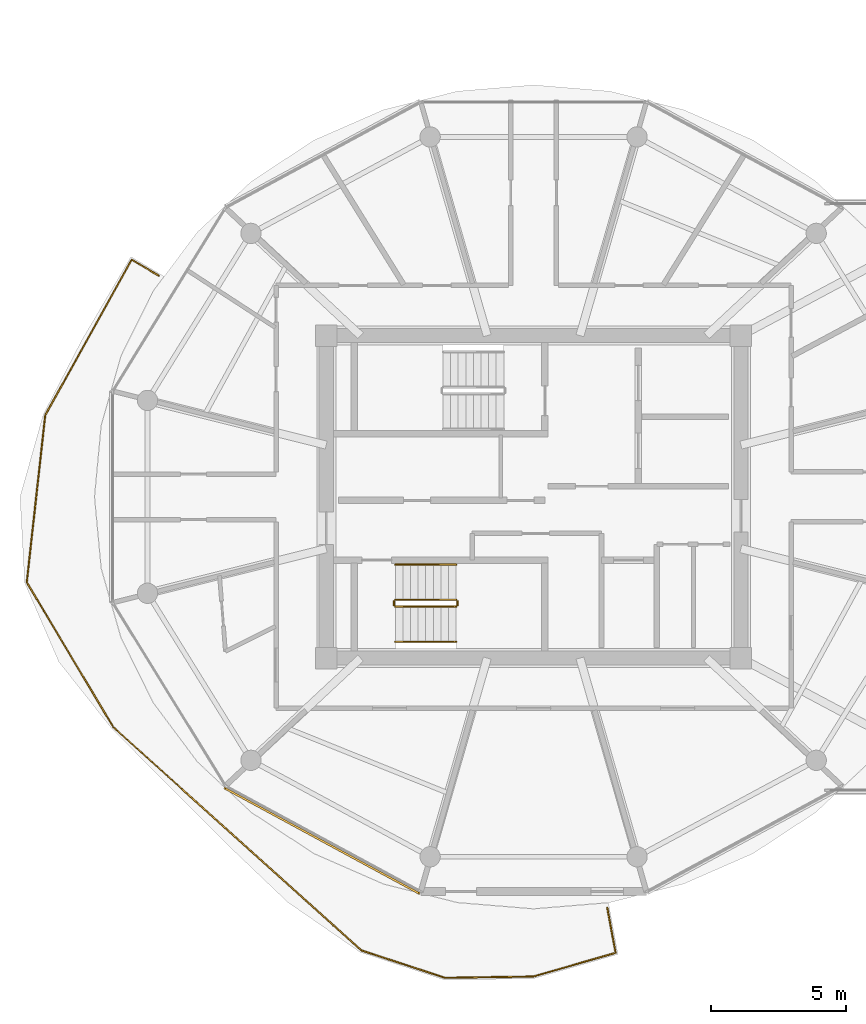
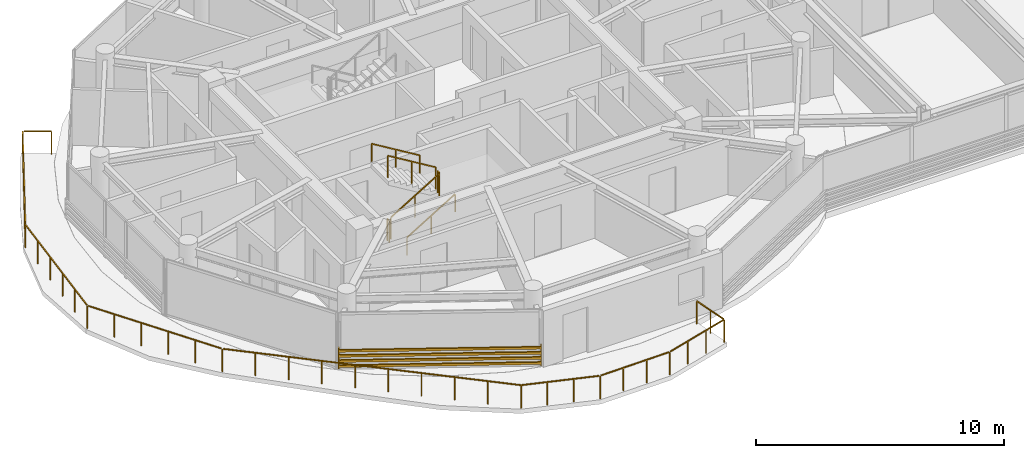
# One storey, part 21 of 24: 8 railings, 1 shading device.
"""IFC4 building model written with IfcOpenShell, lengths in metres."""

from ifc_helpers import new_model, si_unit, direction, frame, origin, origin_2d, place, context, subcontext, project, spatial, rectangle, extrude, source, transform, mapped, material, type_object, type_shapes, element, save


model = new_model("IFC4")

# Units and contexts
model_context = context("Model", 3, precision=1e-05, world=origin(), true_north=direction((0.0, 1.0)))
body_context = subcontext(model_context, "Body", "Model", "MODEL_VIEW")
ifc_project = project(units=[si_unit("LENGTHUNIT", "METRE"), si_unit("AREAUNIT", "SQUARE_METRE"), si_unit("VOLUMEUNIT", "CUBIC_METRE"), si_unit("PLANEANGLEUNIT", "RADIAN"), si_unit("MASSUNIT", "GRAM", prefix="KILO")], contexts=[model_context])

# Site, building, storey
site_placement = place(None, origin())
site = spatial("IfcSite", under=ifc_project, at=site_placement, CompositionType="ELEMENT")
building_placement = place(site_placement, origin())
building = spatial("IfcBuilding", under=site, at=building_placement, Name="Norrkilde Senior Care Towers", CompositionType="ELEMENT")
storey_placement = place(building_placement, frame((0.0, 0.0, 223.050048828125)))
storey = spatial("IfcBuildingStorey", under=building, at=storey_placement, Name="L69", CompositionType="ELEMENT", Elevation=223.050048828125)

# Railings
ifc_material_1 = material(Name="Anodised Aluminium", Category="aluminium")
railing_type_1 = type_object("IfcRailingType", Name="Balcony Swirl Ribbon Guardrail 1150", PredefinedType="GUARDRAIL", material=ifc_material_1)
railing_1_placement = place(storey_placement, frame((-34.365478515625, -16.7314453125, 0.0)))
element("IfcRailing", 1, at=railing_1_placement, inside=storey, type_object=railing_type_1, Name="L69 Perimeter Safety Guard 03", PredefinedType="GUARDRAIL", context=body_context, shape_type="SweptSolid", body=[
    extrude(rectangle(XDim=0.048095703125, YDim=0.048095703125, at=origin_2d()), frame((0.0, 0.0, 1.1259765625), z_axis=(-0.743077110644, 0.669205803649, 0.0), x_axis=(-0.669205803649, -0.743077110644, 0.0)), (0.0, 0.0, 1.0), 12.266845703125),
    extrude(rectangle(XDim=0.048095703125, YDim=0.048095703125, at=origin_2d()), frame((-9.16650390625, 8.271484375, 1.1259765625), z_axis=(-0.512781280455, 0.858519282494, 0.0), x_axis=(-0.858519282494, -0.512781280455, 0.0)), (0.0, 0.0, 1.0), 6.1416015625),
    extrude(rectangle(XDim=0.048095703125, YDim=0.048095703125, at=origin_2d()), frame((-12.332275390625, 13.61962890625, 1.1259765625), z_axis=(0.109861229125, 0.993946935372, 0.0), x_axis=(-0.993946935372, 0.109861229125, 0.0)), (0.0, 0.0, 1.0), 6.12060546875),
    extrude(rectangle(XDim=0.048095703125, YDim=0.048095703125, at=origin_2d()), frame((-11.635498046875, 19.779541015625, 1.1259765625), z_axis=(0.485671324022, 0.874141501716, 0.0), x_axis=(-0.874141501716, 0.485671324022, 0.0)), (0.0, 0.0, 1.0), 6.48876953125),
    extrude(rectangle(XDim=0.048095703125, YDim=0.048095703125, at=origin_2d()), frame((-8.428955078125, 25.466552734375, 1.1259765625), z_axis=(0.858699122385, -0.512480065188, 0.0), x_axis=(0.512480065188, 0.858699122385, 0.0)), (0.0, 0.0, 1.0), 1.11767578125),
    extrude(rectangle(XDim=0.0419921875, YDim=0.0419921875, at=origin_2d()), origin(), (0.0, 0.0, 1.0), 1.099853515625),
    extrude(rectangle(XDim=0.0419921875, YDim=0.0419921875, at=origin_2d()), frame((-1.01611328125, 0.9150390625, 0.0)), (0.0, 0.0, 1.0), 1.099853515625),
    extrude(rectangle(XDim=0.0419921875, YDim=0.0419921875, at=origin_2d()), frame((-2.0322265625, 1.830322265625, 0.0)), (0.0, 0.0, 1.0), 1.099853515625),
    extrude(rectangle(XDim=0.0419921875, YDim=0.0419921875, at=origin_2d()), frame((-3.048583984375, 2.745361328125, 0.0)), (0.0, 0.0, 1.0), 1.099853515625),
    extrude(rectangle(XDim=0.0419921875, YDim=0.0419921875, at=origin_2d()), frame((-4.064697265625, 3.66064453125, 0.0)), (0.0, 0.0, 1.0), 1.099853515625),
    extrude(rectangle(XDim=0.0419921875, YDim=0.0419921875, at=origin_2d()), frame((-5.080810546875, 4.57568359375, 0.0)), (0.0, 0.0, 1.0), 1.099853515625),
    extrude(rectangle(XDim=0.0419921875, YDim=0.0419921875, at=origin_2d()), frame((-6.096923828125, 5.490966796875, 0.0)), (0.0, 0.0, 1.0), 1.099853515625),
    extrude(rectangle(XDim=0.0419921875, YDim=0.0419921875, at=origin_2d()), frame((-7.11328125, 6.406005859375, 0.0)), (0.0, 0.0, 1.0), 1.099853515625),
    extrude(rectangle(XDim=0.0419921875, YDim=0.0419921875, at=origin_2d()), frame((-8.12939453125, 7.3212890625, 0.0)), (0.0, 0.0, 1.0), 1.099853515625),
    extrude(rectangle(XDim=0.0419921875, YDim=0.0419921875, at=origin_2d()), frame((-9.1455078125, 8.236328125, 0.0)), (0.0, 0.0, 1.0), 1.099853515625),
    extrude(rectangle(XDim=0.0419921875, YDim=0.0419921875, at=origin_2d()), frame((-9.78369140625, 9.304931640625, 0.0)), (0.0, 0.0, 1.0), 1.099853515625),
    extrude(rectangle(XDim=0.0419921875, YDim=0.0419921875, at=origin_2d()), frame((-10.421875, 10.37353515625, 0.0)), (0.0, 0.0, 1.0), 1.099853515625),
    extrude(rectangle(XDim=0.0419921875, YDim=0.0419921875, at=origin_2d()), frame((-11.060302734375, 11.44189453125, 0.0)), (0.0, 0.0, 1.0), 1.099853515625),
    extrude(rectangle(XDim=0.0419921875, YDim=0.0419921875, at=origin_2d()), frame((-11.698486328125, 12.510498046875, 0.0)), (0.0, 0.0, 1.0), 1.099853515625),
    extrude(rectangle(XDim=0.0419921875, YDim=0.0419921875, at=origin_2d()), frame((-12.336669921875, 13.5791015625, 0.0)), (0.0, 0.0, 1.0), 1.099853515625),
    extrude(rectangle(XDim=0.0419921875, YDim=0.0419921875, at=origin_2d()), frame((-12.200439453125, 14.81201171875, 0.0)), (0.0, 0.0, 1.0), 1.099853515625),
    extrude(rectangle(XDim=0.0419921875, YDim=0.0419921875, at=origin_2d()), frame((-12.064208984375, 16.044921875, 0.0)), (0.0, 0.0, 1.0), 1.099853515625),
    extrude(rectangle(XDim=0.0419921875, YDim=0.0419921875, at=origin_2d()), frame((-11.927734375, 17.278076171875, 0.0)), (0.0, 0.0, 1.0), 1.099853515625),
    extrude(rectangle(XDim=0.0419921875, YDim=0.0419921875, at=origin_2d()), frame((-11.79150390625, 18.510986328125, 0.0)), (0.0, 0.0, 1.0), 1.099853515625),
    extrude(rectangle(XDim=0.0419921875, YDim=0.0419921875, at=origin_2d()), frame((-11.6552734375, 19.743896484375, 0.0)), (0.0, 0.0, 1.0), 1.099853515625),
    extrude(rectangle(XDim=0.0419921875, YDim=0.0419921875, at=origin_2d()), frame((-11.01708984375, 20.892578125, 0.0)), (0.0, 0.0, 1.0), 1.099853515625),
    extrude(rectangle(XDim=0.0419921875, YDim=0.0419921875, at=origin_2d()), frame((-10.37890625, 22.041259765625, 0.0)), (0.0, 0.0, 1.0), 1.099853515625),
    extrude(rectangle(XDim=0.0419921875, YDim=0.0419921875, at=origin_2d()), frame((-9.740478515625, 23.190185546875, 0.0)), (0.0, 0.0, 1.0), 1.099853515625),
    extrude(rectangle(XDim=0.0419921875, YDim=0.0419921875, at=origin_2d()), frame((-9.102294921875, 24.3388671875, 0.0)), (0.0, 0.0, 1.0), 1.099853515625),
    extrude(rectangle(XDim=0.0419921875, YDim=0.0419921875, at=origin_2d()), frame((-8.464111328125, 25.487548828125, 0.0)), (0.0, 0.0, 1.0), 1.099853515625),
    extrude(rectangle(XDim=0.0419921875, YDim=0.0419921875, at=origin_2d()), frame((-7.46923828125, 24.893798828125, 0.0)), (0.0, 0.0, 1.0), 1.099853515625),
])
railing_2_placement = place(storey_placement, frame((-25.28271484375, -15.157470703125, 0.0)))
element("IfcRailing", 2, at=railing_2_placement, inside=storey, type_object=railing_type_1, Name="L69 Perimeter Safety Guard 04", PredefinedType="GUARDRAIL", context=body_context, shape_type="SweptSolid", body=[
    extrude(rectangle(XDim=0.048095703125, YDim=0.048095703125, at=origin_2d()), frame((0.0, 0.0, 1.1259765625), z_axis=(0.1816052382, -0.98337151548, 0.0), x_axis=(0.98337151548, 0.1816052382, 0.0)), (0.0, 0.0, 1.0), 1.656982421875),
    extrude(rectangle(XDim=0.048095703125, YDim=0.048095703125, at=origin_2d()), frame((0.26904296875, -1.680908203125, 1.1259765625), z_axis=(-0.961050328274, -0.276373418628, 0.0), x_axis=(0.276373418628, -0.961050328274, 0.0)), (0.0, 0.0, 1.0), 3.078857421875),
    extrude(rectangle(XDim=0.048095703125, YDim=0.048095703125, at=origin_2d()), frame((-2.77001953125, -2.543701171875, 1.1259765625), z_axis=(-0.999894603334, -0.014518340921, 0.0), x_axis=(0.014518340921, -0.999894603334, 0.0)), (0.0, 0.0, 1.0), 3.1806640625),
    extrude(rectangle(XDim=0.048095703125, YDim=0.048095703125, at=origin_2d()), frame((-6.030029296875, -2.577880859375, 1.1259765625), z_axis=(-0.94995830724, 0.312376718893, 0.0), x_axis=(-0.312376718893, -0.94995830724, 0.0)), (0.0, 0.0, 1.0), 3.213623046875),
    extrude(rectangle(XDim=0.0419921875, YDim=0.0419921875, at=origin_2d()), origin(), (0.0, 0.0, 1.0), 1.099853515625),
    extrude(rectangle(XDim=0.0419921875, YDim=0.0419921875, at=origin_2d()), frame((0.154296875, -0.8349609375, 0.0)), (0.0, 0.0, 1.0), 1.099853515625),
    extrude(rectangle(XDim=0.0419921875, YDim=0.0419921875, at=origin_2d()), frame((0.308349609375, -1.669677734375, 0.0)), (0.0, 0.0, 1.0), 1.099853515625),
    extrude(rectangle(XDim=0.0419921875, YDim=0.0419921875, at=origin_2d()), frame((-0.7041015625, -1.9609375, 0.0)), (0.0, 0.0, 1.0), 1.099853515625),
    extrude(rectangle(XDim=0.0419921875, YDim=0.0419921875, at=origin_2d()), frame((-1.716796875, -2.251953125, 0.0)), (0.0, 0.0, 1.0), 1.099853515625),
    extrude(rectangle(XDim=0.0419921875, YDim=0.0419921875, at=origin_2d()), frame((-2.729248046875, -2.543212890625, 0.0)), (0.0, 0.0, 1.0), 1.099853515625),
    extrude(rectangle(XDim=0.0419921875, YDim=0.0419921875, at=origin_2d()), frame((-3.816650390625, -2.55908203125, 0.0)), (0.0, 0.0, 1.0), 1.099853515625),
    extrude(rectangle(XDim=0.0419921875, YDim=0.0419921875, at=origin_2d()), frame((-4.90380859375, -2.57470703125, 0.0)), (0.0, 0.0, 1.0), 1.099853515625),
    extrude(rectangle(XDim=0.0419921875, YDim=0.0419921875, at=origin_2d()), frame((-5.9912109375, -2.590576171875, 0.0)), (0.0, 0.0, 1.0), 1.099853515625),
    extrude(rectangle(XDim=0.0419921875, YDim=0.0419921875, at=origin_2d()), frame((-7.021728515625, -2.251708984375, 0.0)), (0.0, 0.0, 1.0), 1.099853515625),
    extrude(rectangle(XDim=0.0419921875, YDim=0.0419921875, at=origin_2d()), frame((-8.05224609375, -1.912841796875, 0.0)), (0.0, 0.0, 1.0), 1.099853515625),
    extrude(rectangle(XDim=0.0419921875, YDim=0.0419921875, at=origin_2d()), frame((-9.082763671875, -1.573974609375, 0.0)), (0.0, 0.0, 1.0), 1.099853515625),
])
ifc_material_2 = material(Name="Stainless Steel", Category="steel")
railing_type_2 = type_object("IfcRailingType", Name="Stair and Terrace Guardrail 1100", PredefinedType="GUARDRAIL", material=ifc_material_2)
railing_3_placement = place(storey_placement, frame((-33.10009765625, -4.050048828125, 0.16943359375)))
element("IfcRailing", 3, at=railing_3_placement, inside=storey, type_object=railing_type_2, Name="L69 ST-W2 stair guard 1", PredefinedType="GUARDRAIL", context=body_context, shape_type="SweptSolid", body=[
    extrude(rectangle(XDim=0.048095703125, YDim=0.048095703125, at=origin_2d()), frame((0.0, 0.0, 1.076171875), z_axis=(0.855553338991, 0.0, 0.51771467445), x_axis=(0.0, 1.0, 0.0)), (0.0, 0.0, 1.0), 2.6181640625),
    extrude(rectangle(XDim=0.0419921875, YDim=0.0419921875, at=origin_2d()), origin(), (0.0, 0.0, 1.0), 1.050048828125),
    extrude(rectangle(XDim=0.0419921875, YDim=0.0419921875, at=origin_2d()), frame((1.1201171875, 0.0, 0.677734375)), (0.0, 0.0, 1.0), 1.050048828125),
    extrude(rectangle(XDim=0.0419921875, YDim=0.0419921875, at=origin_2d()), frame((2.239990234375, 0.0, 1.35546875)), (0.0, 0.0, 1.0), 1.050048828125),
])
railing_4_placement = place(storey_placement, frame((-30.81005859375, -4.0, 1.52490234375)))
element("IfcRailing", 4, at=railing_4_placement, inside=storey, type_object=railing_type_2, Name="L69 ST-W2 stair guard 2", PredefinedType="GUARDRAIL", context=body_context, shape_type="SweptSolid", body=[
    extrude(rectangle(XDim=0.048095703125, YDim=0.048095703125, at=origin_2d()), frame((0.0, 0.0, 1.076171875), z_axis=(0.0, 1.0, 0.0), x_axis=(-1.0, 0.0, 0.0)), (0.0, 0.0, 1.0), 0.14990234375),
    extrude(rectangle(XDim=0.0419921875, YDim=0.0419921875, at=origin_2d()), origin(), (0.0, 0.0, 1.0), 1.050048828125),
    extrude(rectangle(XDim=0.0419921875, YDim=0.0419921875, at=origin_2d()), frame((0.0, 0.14990234375, 0.0)), (0.0, 0.0, 1.0), 1.050048828125),
])
railing_5_placement = place(storey_placement, frame((-30.860107421875, -3.800048828125, 1.6943359375)))
element("IfcRailing", 5, at=railing_5_placement, inside=storey, type_object=railing_type_2, Name="L69 ST-W2 stair guard 3", PredefinedType="GUARDRAIL", context=body_context, shape_type="SweptSolid", body=[
    extrude(rectangle(XDim=0.048095703125, YDim=0.048095703125, at=origin_2d()), frame((0.0, 0.0, 1.076171875), z_axis=(-0.855512035549, 0.0, 0.517782924622), x_axis=(0.0, -1.0, 0.0)), (0.0, 0.0, 1.0), 2.618408203125),
    extrude(rectangle(XDim=0.0419921875, YDim=0.0419921875, at=origin_2d()), origin(), (0.0, 0.0, 1.0), 1.050048828125),
    extrude(rectangle(XDim=0.0419921875, YDim=0.0419921875, at=origin_2d()), frame((-1.1201171875, 0.0, 0.677734375)), (0.0, 0.0, 1.0), 1.050048828125),
    extrude(rectangle(XDim=0.0419921875, YDim=0.0419921875, at=origin_2d()), frame((-2.239990234375, 0.0, 1.355712890625)), (0.0, 0.0, 1.0), 1.050048828125),
])
railing_6_placement = place(storey_placement, frame((-33.14990234375, -4.0, 0.0)))
element("IfcRailing", 6, at=railing_6_placement, inside=storey, type_object=railing_type_2, Name="L69 ST-W2 stair guard 4", PredefinedType="GUARDRAIL", context=body_context, shape_type="SweptSolid", body=[
    extrude(rectangle(XDim=0.048095703125, YDim=0.048095703125, at=origin_2d()), frame((0.0, 0.0, 1.076171875), z_axis=(0.0, 1.0, 0.0), x_axis=(-1.0, 0.0, 0.0)), (0.0, 0.0, 1.0), 0.14990234375),
    extrude(rectangle(XDim=0.0419921875, YDim=0.0419921875, at=origin_2d()), origin(), (0.0, 0.0, 1.0), 1.050048828125),
    extrude(rectangle(XDim=0.0419921875, YDim=0.0419921875, at=origin_2d()), frame((0.0, 0.14990234375, 0.0)), (0.0, 0.0, 1.0), 1.050048828125),
])
ifc_material_3 = material(Name="Nordic Ash Timber", Category="wood")
railing_type_3 = type_object("IfcRailingType", Name="Wall and Stair Handrail 900", PredefinedType="HANDRAIL", material=ifc_material_3)
railing_7_placement = place(storey_placement, frame((-33.10009765625, -5.35009765625, 0.16943359375)))
element("IfcRailing", 7, at=railing_7_placement, inside=storey, type_object=railing_type_3, Name="L69 ST-W2 stair handrail 1", PredefinedType="HANDRAIL", context=body_context, shape_type="SweptSolid", body=[
    extrude(rectangle(XDim=0.048095703125, YDim=0.048095703125, at=origin_2d()), frame((0.0, 0.0, 0.8759765625), z_axis=(0.855553338991, 0.0, 0.51771467445), x_axis=(0.0, 1.0, 0.0)), (0.0, 0.0, 1.0), 2.6181640625),
    extrude(rectangle(XDim=0.0419921875, YDim=0.0419921875, at=origin_2d()), origin(), (0.0, 0.0, 1.0), 0.849853515625),
    extrude(rectangle(XDim=0.0419921875, YDim=0.0419921875, at=origin_2d()), frame((1.1201171875, 0.0, 0.677734375)), (0.0, 0.0, 1.0), 0.849853515625),
    extrude(rectangle(XDim=0.0419921875, YDim=0.0419921875, at=origin_2d()), frame((2.239990234375, 0.0, 1.35546875)), (0.0, 0.0, 1.0), 0.849853515625),
])
railing_8_placement = place(storey_placement, frame((-30.860107421875, -2.5, 1.6943359375)))
element("IfcRailing", 8, at=railing_8_placement, inside=storey, type_object=railing_type_3, Name="L69 ST-W2 stair handrail 2", PredefinedType="HANDRAIL", context=body_context, shape_type="SweptSolid", body=[
    extrude(rectangle(XDim=0.048095703125, YDim=0.048095703125, at=origin_2d()), frame((0.0, 0.0, 0.8759765625), z_axis=(-0.855512035549, 0.0, 0.517782924622), x_axis=(0.0, -1.0, 0.0)), (0.0, 0.0, 1.0), 2.618408203125),
    extrude(rectangle(XDim=0.0419921875, YDim=0.0419921875, at=origin_2d()), origin(), (0.0, 0.0, 1.0), 0.849853515625),
    extrude(rectangle(XDim=0.0419921875, YDim=0.0419921875, at=origin_2d()), frame((-1.1201171875, 0.0, 0.677734375)), (0.0, 0.0, 1.0), 0.849853515625),
    extrude(rectangle(XDim=0.0419921875, YDim=0.0419921875, at=origin_2d()), frame((-2.239990234375, 0.0, 1.355712890625)), (0.0, 0.0, 1.0), 0.849853515625),
])

# Shading device
ifc_material_4 = material(Name="Architectural Terracotta", Category="masonry")
shading_device_type = type_object("IfcShadingDeviceType", Name="Horizontal Terracotta Baguette Rack", PredefinedType="USERDEFINED", material=ifc_material_4)
shared_shape = source(origin(), body_context, "Body", "SweptSolid", [
    extrude(rectangle(XDim=0.070068359375, YDim=0.110107421875, at=origin_2d()), frame((0.0, 0.090087890625, 0.125), z_axis=(1.0, 0.0, 0.0), x_axis=(0.0, 1.0, 0.0)), (0.0, 0.0, 1.0), 8.197265625),
    extrude(rectangle(XDim=0.070068359375, YDim=0.110107421875, at=origin_2d()), frame((0.0, 0.090087890625, 0.375), z_axis=(1.0, 0.0, 0.0), x_axis=(0.0, 1.0, 0.0)), (0.0, 0.0, 1.0), 8.197265625),
    extrude(rectangle(XDim=0.070068359375, YDim=0.110107421875, at=origin_2d()), frame((0.0, 0.090087890625, 0.625), z_axis=(1.0, 0.0, 0.0), x_axis=(0.0, 1.0, 0.0)), (0.0, 0.0, 1.0), 8.197265625),
    extrude(rectangle(XDim=0.070068359375, YDim=0.110107421875, at=origin_2d()), frame((0.0, 0.090087890625, 0.875), z_axis=(1.0, 0.0, 0.0), x_axis=(0.0, 1.0, 0.0)), (0.0, 0.0, 1.0), 8.197265625),
    extrude(rectangle(XDim=0.050048828125, YDim=0.1552734375, at=origin_2d()), frame((0.02490234375, 0.047607421875, 0.0)), (0.0, 0.0, 1.0), 1.0),
    extrude(rectangle(XDim=0.050048828125, YDim=0.1552734375, at=origin_2d()), frame((8.17236328125, 0.047607421875, 0.0)), (0.0, 0.0, 1.0), 1.0),
])
type_shapes(shading_device_type, [shared_shape])
shading_device_placement = place(storey_placement, frame((-32.161865234375, -14.566162109375, 0.079833984375), z_axis=(0.0, 0.0, 1.0), x_axis=(-0.879378127234, 0.476143674053, 0.0)))
element("IfcShadingDevice", 9, at=shading_device_placement, inside=storey, type_object=shading_device_type, Name="L69 Drum W Terracotta Baguette Screen 07", ObjectType="BAGUETTE", PredefinedType="USERDEFINED", context=body_context, shape_type="MappedRepresentation", body=[
    mapped(shared_shape, transform((0.0, 0.0, 0.0), x_axis=(1.0, 0.0, 0.0), y_axis=(0.0, 1.0, 0.0), z_axis=(0.0, 0.0, 1.0), scale=1.0)),
])

save(model, "model.ifc")
